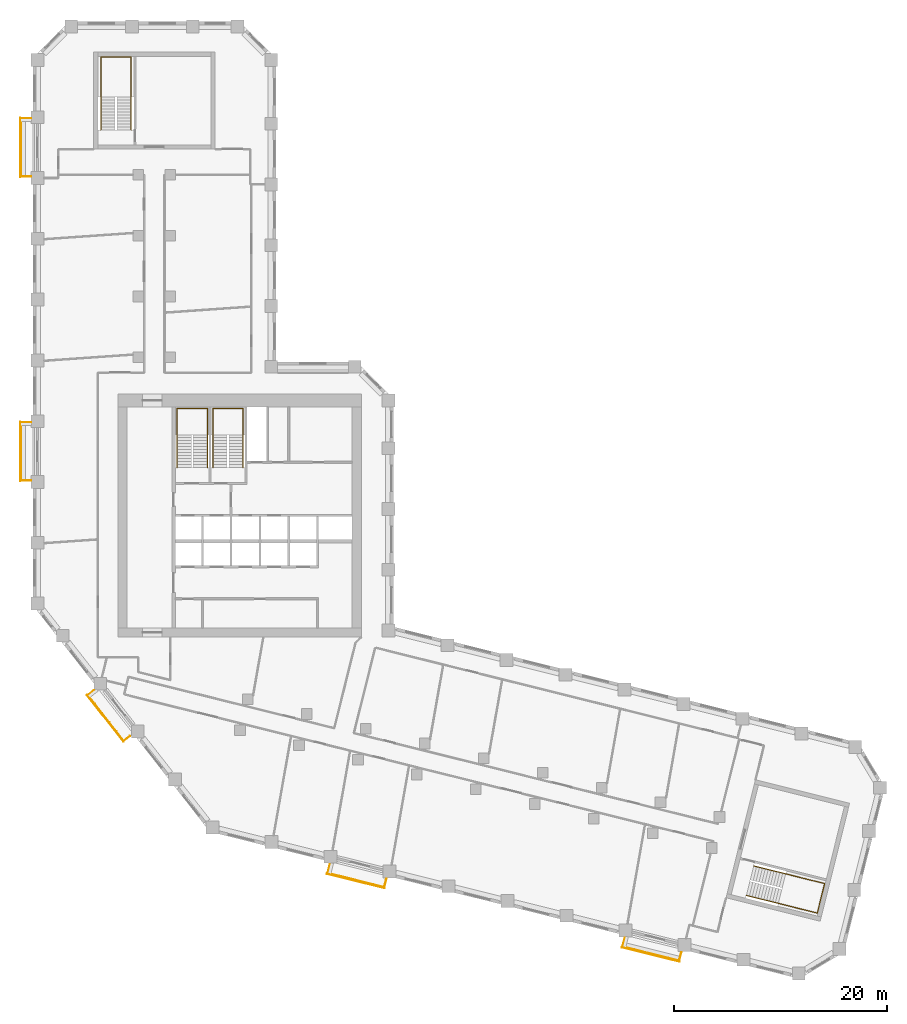
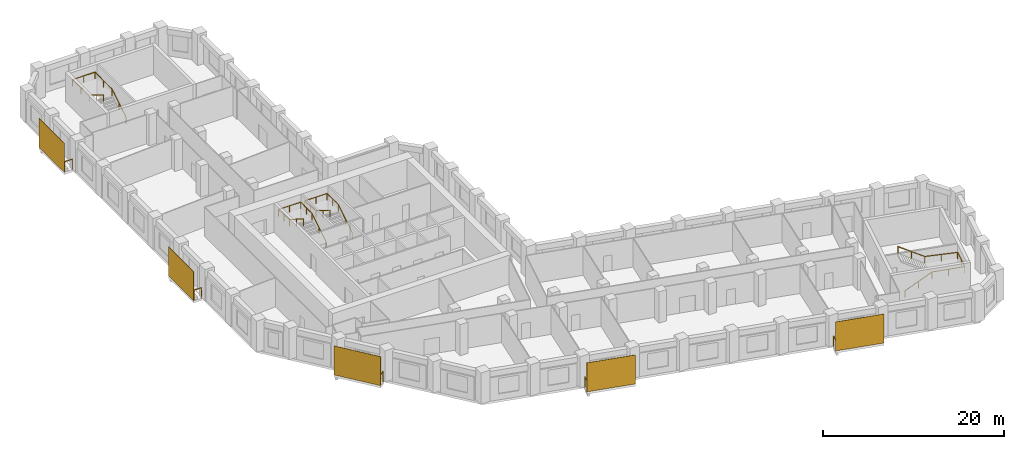
# One storey, part 10 of 10: 9 railings, 5 shading devices.
"""IFC4 building model written with IfcOpenShell, lengths in metres."""

from ifc_helpers import new_model, si_unit, direction, frame, origin, origin_2d, place, context, subcontext, project, spatial, rectangle, circle, extrude, material, layer, layer_set, type_object, element, save


model = new_model("IFC4")

# Units and contexts
model_context = context("Model", 3, precision=1e-05, world=origin(), true_north=direction((0.0, 1.0)))
body_context = subcontext(model_context, "Body", "Model", "MODEL_VIEW")
ifc_project = project(units=[si_unit("LENGTHUNIT", "METRE"), si_unit("AREAUNIT", "SQUARE_METRE"), si_unit("VOLUMEUNIT", "CUBIC_METRE"), si_unit("PLANEANGLEUNIT", "RADIAN"), si_unit("MASSUNIT", "GRAM", prefix="KILO")], contexts=[model_context])

# Site, building, storey
site_placement = place(None, origin())
site = spatial("IfcSite", under=ifc_project, at=site_placement, CompositionType="ELEMENT")
building_placement = place(site_placement, origin())
building = spatial("IfcBuilding", under=site, at=building_placement, Name="Meshkara Civic Tower", CompositionType="ELEMENT")
storey_placement = place(building_placement, frame((0.0, 0.0, 203.39990234375)))
storey = spatial("IfcBuildingStorey", under=building, at=storey_placement, Name="L46", CompositionType="ELEMENT", Elevation=203.39990234375)

# Railings
ifc_material_1 = material(Name="Steel S355", Category="steel")
railing_type_1 = type_object("IfcRailingType", Name="BALUSTRADE GUARD 1400", PredefinedType="BALUSTRADE", material=ifc_material_1)
for number, where, name in (
    (1, (-0.14990234375, 62.735107421875, 0.0), "Balcony guard"),
    (2, (-0.14990234375, 34.235107421875, 0.0), "Balcony guard"),
):
    element("IfcRailing", number, at=place(storey_placement, frame(where)), inside=storey, type_object=railing_type_1, Name=name, PredefinedType="BALUSTRADE", context=body_context, shape_type="SweptSolid", body=[
        extrude(circle(Radius=0.02392578125, at=origin_2d()), frame((0.0, 0.0, 1.3759765625), z_axis=(-1.0, 0.0, 0.0), x_axis=(0.0, -1.0, 0.0)), (0.0, 0.0, 1.0), 0.960205078125),
        extrude(circle(Radius=0.02392578125, at=origin_2d()), frame((-0.960205078125, 0.0, 1.3759765625), z_axis=(0.0, -1.0, 0.0), x_axis=(1.0, 0.0, 0.0)), (0.0, 0.0, 1.0), 5.460205078125),
        extrude(circle(Radius=0.02392578125, at=origin_2d()), frame((-0.960205078125, -5.460205078125, 1.3759765625), z_axis=(1.0, 0.0, 0.0), x_axis=(0.0, 1.0, 0.0)), (0.0, 0.0, 1.0), 0.960205078125),
        extrude(circle(Radius=0.02099609375, at=origin_2d()), origin(), (0.0, 0.0, 1.0), 1.351806640625),
        extrude(circle(Radius=0.02099609375, at=origin_2d()), frame((-0.960205078125, 0.0, 0.0)), (0.0, 0.0, 1.0), 1.351806640625),
        extrude(circle(Radius=0.02099609375, at=origin_2d()), frame((-0.960205078125, -1.092041015625, 0.0)), (0.0, 0.0, 1.0), 1.351806640625),
        extrude(circle(Radius=0.02099609375, at=origin_2d()), frame((-0.960205078125, -2.18408203125, 0.0)), (0.0, 0.0, 1.0), 1.351806640625),
        extrude(circle(Radius=0.02099609375, at=origin_2d()), frame((-0.960205078125, -3.276123046875, 0.0)), (0.0, 0.0, 1.0), 1.351806640625),
        extrude(circle(Radius=0.02099609375, at=origin_2d()), frame((-0.960205078125, -4.3681640625, 0.0)), (0.0, 0.0, 1.0), 1.351806640625),
        extrude(circle(Radius=0.02099609375, at=origin_2d()), frame((-0.960205078125, -5.460205078125, 0.0)), (0.0, 0.0, 1.0), 1.351806640625),
        extrude(circle(Radius=0.02099609375, at=origin_2d()), frame((0.0, -5.460205078125, 0.0)), (0.0, 0.0, 1.0), 1.351806640625),
    ])
railing_1_placement = place(storey_placement, frame((5.73388671875, 9.1240234375, 0.0)))
element("IfcRailing", 3, at=railing_1_placement, inside=storey, type_object=railing_type_1, Name="Balcony guard", PredefinedType="BALUSTRADE", context=body_context, shape_type="SweptSolid", body=[
    extrude(circle(Radius=0.02392578125, at=origin_2d()), frame((0.0, 0.0, 1.3759765625), z_axis=(-0.788014065721, -0.615657235989, 0.0), x_axis=(0.615657235989, -0.788014065721, 0.0)), (0.0, 0.0, 1.0), 0.71826171875),
    extrude(circle(Radius=0.02392578125, at=origin_2d()), frame((-0.56591796875, -0.442138671875, 1.3759765625), z_axis=(0.615684818606, -0.787992515281, 0.0), x_axis=(0.787992515281, 0.615684818606, 0.0)), (0.0, 0.0, 1.0), 5.460693359375),
    extrude(circle(Radius=0.02392578125, at=origin_2d()), frame((2.796142578125, -4.7451171875, 1.3759765625), z_axis=(0.788014065721, 0.615657235989, 0.0), x_axis=(-0.615657235989, 0.788014065721, 0.0)), (0.0, 0.0, 1.0), 0.71826171875),
    extrude(circle(Radius=0.02099609375, at=origin_2d()), origin(), (0.0, 0.0, 1.0), 1.351806640625),
    extrude(circle(Radius=0.02099609375, at=origin_2d()), frame((-0.56591796875, -0.442138671875, 0.0)), (0.0, 0.0, 1.0), 1.351806640625),
    extrude(circle(Radius=0.02099609375, at=origin_2d()), frame((0.1064453125, -1.302734375, 0.0)), (0.0, 0.0, 1.0), 1.351806640625),
    extrude(circle(Radius=0.02099609375, at=origin_2d()), frame((0.77880859375, -2.163330078125, 0.0)), (0.0, 0.0, 1.0), 1.351806640625),
    extrude(circle(Radius=0.02099609375, at=origin_2d()), frame((1.451416015625, -3.02392578125, 0.0)), (0.0, 0.0, 1.0), 1.351806640625),
    extrude(circle(Radius=0.02099609375, at=origin_2d()), frame((2.123779296875, -3.884521484375, 0.0)), (0.0, 0.0, 1.0), 1.351806640625),
    extrude(circle(Radius=0.02099609375, at=origin_2d()), frame((2.796142578125, -4.7451171875, 0.0)), (0.0, 0.0, 1.0), 1.351806640625),
    extrude(circle(Radius=0.02099609375, at=origin_2d()), frame((3.362060546875, -4.302978515625, 0.0)), (0.0, 0.0, 1.0), 1.351806640625),
])
railing_2_placement = place(storey_placement, frame((27.85302734375, -7.22998046875, 0.0)))
element("IfcRailing", 4, at=railing_2_placement, inside=storey, type_object=railing_type_1, Name="Balcony guard", PredefinedType="BALUSTRADE", context=body_context, shape_type="SweptSolid", body=[
    extrude(circle(Radius=0.02392578125, at=origin_2d()), frame((0.0, 0.0, 1.3759765625), z_axis=(-0.242673544463, -0.970108009872, 0.0), x_axis=(0.970108009872, -0.242673544463, 0.0)), (0.0, 0.0, 1.0), 0.8330078125),
    extrude(circle(Radius=0.02392578125, at=origin_2d()), frame((-0.2021484375, -0.80810546875, 1.3759765625), z_axis=(0.970302726319, -0.241893818229, 0.0), x_axis=(0.241893818229, 0.970302726319, 0.0)), (0.0, 0.0, 1.0), 5.460205078125),
    extrude(circle(Radius=0.02392578125, at=origin_2d()), frame((5.095947265625, -2.12890625, 1.3759765625), z_axis=(0.242466638965, 0.970159744057, 0.0), x_axis=(-0.970159744057, 0.242466638965, 0.0)), (0.0, 0.0, 1.0), 0.832763671875),
    extrude(circle(Radius=0.02099609375, at=origin_2d()), origin(), (0.0, 0.0, 1.0), 1.351806640625),
    extrude(circle(Radius=0.02099609375, at=origin_2d()), frame((-0.2021484375, -0.80810546875, 0.0)), (0.0, 0.0, 1.0), 1.351806640625),
    extrude(circle(Radius=0.02099609375, at=origin_2d()), frame((0.857421875, -1.072265625, 0.0)), (0.0, 0.0, 1.0), 1.351806640625),
    extrude(circle(Radius=0.02099609375, at=origin_2d()), frame((1.9169921875, -1.33642578125, 0.0)), (0.0, 0.0, 1.0), 1.351806640625),
    extrude(circle(Radius=0.02099609375, at=origin_2d()), frame((2.976806640625, -1.6005859375, 0.0)), (0.0, 0.0, 1.0), 1.351806640625),
    extrude(circle(Radius=0.02099609375, at=origin_2d()), frame((4.036376953125, -1.86474609375, 0.0)), (0.0, 0.0, 1.0), 1.351806640625),
    extrude(circle(Radius=0.02099609375, at=origin_2d()), frame((5.095947265625, -2.12890625, 0.0)), (0.0, 0.0, 1.0), 1.351806640625),
    extrude(circle(Radius=0.02099609375, at=origin_2d()), frame((5.2978515625, -1.321044921875, 0.0)), (0.0, 0.0, 1.0), 1.351806640625),
])
railing_3_placement = place(storey_placement, frame((55.506103515625, -14.125, 0.0)))
element("IfcRailing", 5, at=railing_3_placement, inside=storey, type_object=railing_type_1, Name="Balcony guard", PredefinedType="BALUSTRADE", context=body_context, shape_type="SweptSolid", body=[
    extrude(circle(Radius=0.02392578125, at=origin_2d()), frame((0.0, 0.0, 1.3759765625), z_axis=(-0.241569777604, -0.970383451296, 0.0), x_axis=(0.970383451296, -0.241569777604, 0.0)), (0.0, 0.0, 1.0), 0.832763671875),
    extrude(circle(Radius=0.02392578125, at=origin_2d()), frame((-0.201171875, -0.80810546875, 1.3759765625), z_axis=(0.970302726319, -0.241893818229, 0.0), x_axis=(0.241893818229, 0.970302726319, 0.0)), (0.0, 0.0, 1.0), 5.460205078125),
    extrude(circle(Radius=0.02392578125, at=origin_2d()), frame((5.096923828125, -2.12890625, 1.3759765625), z_axis=(0.242466638965, 0.970159744057, 0.0), x_axis=(-0.970159744057, 0.242466638965, 0.0)), (0.0, 0.0, 1.0), 0.832763671875),
    extrude(circle(Radius=0.02099609375, at=origin_2d()), origin(), (0.0, 0.0, 1.0), 1.351806640625),
    extrude(circle(Radius=0.02099609375, at=origin_2d()), frame((-0.201171875, -0.80810546875, 0.0)), (0.0, 0.0, 1.0), 1.351806640625),
    extrude(circle(Radius=0.02099609375, at=origin_2d()), frame((0.8583984375, -1.072265625, 0.0)), (0.0, 0.0, 1.0), 1.351806640625),
    extrude(circle(Radius=0.02099609375, at=origin_2d()), frame((1.91796875, -1.33642578125, 0.0)), (0.0, 0.0, 1.0), 1.351806640625),
    extrude(circle(Radius=0.02099609375, at=origin_2d()), frame((2.977783203125, -1.6005859375, 0.0)), (0.0, 0.0, 1.0), 1.351806640625),
    extrude(circle(Radius=0.02099609375, at=origin_2d()), frame((4.037353515625, -1.86474609375, 0.0)), (0.0, 0.0, 1.0), 1.351806640625),
    extrude(circle(Radius=0.02099609375, at=origin_2d()), frame((5.096923828125, -2.12890625, 0.0)), (0.0, 0.0, 1.0), 1.351806640625),
    extrude(circle(Radius=0.02099609375, at=origin_2d()), frame((5.298828125, -1.321044921875, 0.0)), (0.0, 0.0, 1.0), 1.351806640625),
])

# Shading devices
ifc_material_2 = material(Name="Perforated bronze anodised aluminium sheet", Category="aluminium")
ifc_layer = layer(ifc_material_2, 0.0400390625)
ifc_layer_set = layer_set([ifc_layer], Name="PERFORATED BRONZE SCREEN")
shading_device_type = type_object("IfcShadingDeviceType", Name="PERFORATED BRONZE SCREEN", PredefinedType="USERDEFINED", material=ifc_layer_set)
for number, where, z_axis, x_axis, name in (
    (6, (-1.179931640625, 60.0048828125, 0.000244140625), (0.0, 0.0, 1.0), (0.0, -1.0, 0.0), "Balcony screen"),
    (7, (-1.179931640625, 31.5048828125, 0.000244140625), (0.0, 0.0, 1.0), (0.0, -1.0, 0.0), "Balcony screen"),
):
    element("IfcShadingDevice", number, at=place(storey_placement, frame(where, z_axis=z_axis, x_axis=x_axis)), inside=storey, type_object=shading_device_type, Name=name, ObjectType="SCREEN", PredefinedType="USERDEFINED", context=body_context, shape_type="SweptSolid", body=[
        extrude(rectangle(XDim=5.580078125, YDim=0.0400390625, at=origin_2d()), origin(), (0.0, 0.0, 1.0), 3.89990234375),
    ])
shading_device_placement = place(storey_placement, frame((6.7939453125, 6.488037109375, 0.000244140625), z_axis=(0.0, 0.0, 1.0), x_axis=(0.615661475326, -0.788010753607, 0.0)))
element("IfcShadingDevice", 8, at=shading_device_placement, inside=storey, type_object=shading_device_type, Name="Balcony screen", ObjectType="SCREEN", PredefinedType="USERDEFINED", context=body_context, shape_type="SweptSolid", body=[
    extrude(rectangle(XDim=5.5810546875, YDim=0.0400390625, at=origin_2d()), origin(), (0.0, 0.0, 1.0), 3.89990234375),
])
for number, where, z_axis, x_axis, name in (
    (9, (30.282958984375, -8.76708984375, 0.000244140625), (0.0, 0.0, 1.0), (0.970299948462, -0.241904960708, 0.0), "Balcony screen"),
    (10, (57.93701171875, -15.660888671875, 0.000244140625), (0.0, 0.0, 1.0), (0.970299948462, -0.241904960708, 0.0), "Balcony screen"),
):
    element("IfcShadingDevice", number, at=place(storey_placement, frame(where, z_axis=z_axis, x_axis=x_axis)), inside=storey, type_object=shading_device_type, Name=name, ObjectType="SCREEN", PredefinedType="USERDEFINED", context=body_context, shape_type="SweptSolid", body=[
        extrude(rectangle(XDim=5.580078125, YDim=0.0400390625, at=origin_2d()), origin(), (0.0, 0.0, 1.0), 3.89990234375),
    ])

# Railings
ifc_material_3 = material(Name="Steel handrail", Category="steel")
railing_type_2 = type_object("IfcRailingType", Name="Stair handrail 900", PredefinedType="HANDRAIL", material=ifc_material_3)
railing_4_placement = place(storey_placement, frame((16.375, 30.0, 0.175048828125)))
element("IfcRailing", 11, at=railing_4_placement, inside=storey, type_object=railing_type_2, Name="L46 ST1 stair handrail 1", PredefinedType="HANDRAIL", context=body_context, shape_type="SweptSolid", body=[
    extrude(circle(Radius=0.02392578125, at=origin_2d()), frame((0.0, 0.0, 0.8759765625), z_axis=(0.0, 0.847998304005, 0.529998940003), x_axis=(-1.0, 0.0, 0.0)), (0.0, 0.0, 1.0), 3.632080078125),
    extrude(circle(Radius=0.02392578125, at=origin_2d()), frame((0.0, 3.080078125, 2.80078125), z_axis=(0.0, 1.0, 0.0), x_axis=(-1.0, 0.0, 0.0)), (0.0, 0.0, 1.0), 2.469970703125),
    extrude(circle(Radius=0.02392578125, at=origin_2d()), frame((0.0, 5.550048828125, 2.80078125), z_axis=(-1.0, 0.0, 0.0), x_axis=(0.0, -1.0, 0.0)), (0.0, 0.0, 1.0), 2.85009765625),
    extrude(circle(Radius=0.02392578125, at=origin_2d()), frame((-2.85009765625, 5.550048828125, 2.80078125), z_axis=(0.0, -0.997498084828, 0.070693498747), x_axis=(1.0, 0.0, 0.0)), (0.0, 0.0, 1.0), 2.47607421875),
    extrude(circle(Radius=0.02392578125, at=origin_2d()), frame((-2.85009765625, 3.080078125, 2.97607421875), z_axis=(0.0, -0.847998304005, 0.529998940003), x_axis=(1.0, 0.0, 0.0)), (0.0, 0.0, 1.0), 3.632080078125),
    extrude(circle(Radius=0.02099609375, at=origin_2d()), origin(), (0.0, 0.0, 1.0), 0.851806640625),
    extrude(circle(Radius=0.02099609375, at=origin_2d()), frame((0.0, 1.5400390625, 0.96240234375)), (0.0, 0.0, 1.0), 0.851806640625),
    extrude(circle(Radius=0.02099609375, at=origin_2d()), frame((0.0, 3.080078125, 1.925048828125)), (0.0, 0.0, 1.0), 0.851806640625),
    extrude(circle(Radius=0.02099609375, at=origin_2d()), frame((0.0, 4.31494140625, 1.925048828125)), (0.0, 0.0, 1.0), 0.851806640625),
    extrude(circle(Radius=0.02099609375, at=origin_2d()), frame((0.0, 5.550048828125, 1.925048828125)), (0.0, 0.0, 1.0), 0.851806640625),
    extrude(circle(Radius=0.02099609375, at=origin_2d()), frame((-1.425048828125, 5.550048828125, 1.925048828125)), (0.0, 0.0, 1.0), 0.851806640625),
    extrude(circle(Radius=0.02099609375, at=origin_2d()), frame((-2.85009765625, 5.550048828125, 1.925048828125)), (0.0, 0.0, 1.0), 0.851806640625),
    extrude(circle(Radius=0.02099609375, at=origin_2d()), frame((-2.85009765625, 4.31494140625, 2.0126953125)), (0.0, 0.0, 1.0), 0.851806640625),
    extrude(circle(Radius=0.02099609375, at=origin_2d()), frame((-2.85009765625, 3.080078125, 2.10009765625)), (0.0, 0.0, 1.0), 0.851806640625),
    extrude(circle(Radius=0.02099609375, at=origin_2d()), frame((-2.85009765625, 1.5400390625, 3.0625)), (0.0, 0.0, 1.0), 0.851806640625),
    extrude(circle(Radius=0.02099609375, at=origin_2d()), frame((-2.85009765625, 0.0, 4.025146484375)), (0.0, 0.0, 1.0), 0.851806640625),
])
railing_5_placement = place(storey_placement, frame((19.72509765625, 30.0, 0.175048828125)))
element("IfcRailing", 12, at=railing_5_placement, inside=storey, type_object=railing_type_2, Name="L46 ST2 stair handrail 1", PredefinedType="HANDRAIL", context=body_context, shape_type="SweptSolid", body=[
    extrude(circle(Radius=0.02392578125, at=origin_2d()), frame((0.0, 0.0, 0.8759765625), z_axis=(0.0, 0.847998304005, 0.529998940003), x_axis=(-1.0, 0.0, 0.0)), (0.0, 0.0, 1.0), 3.632080078125),
    extrude(circle(Radius=0.02392578125, at=origin_2d()), frame((0.0, 3.080078125, 2.80078125), z_axis=(0.0, 1.0, 0.0), x_axis=(-1.0, 0.0, 0.0)), (0.0, 0.0, 1.0), 2.469970703125),
    extrude(circle(Radius=0.02392578125, at=origin_2d()), frame((0.0, 5.550048828125, 2.80078125), z_axis=(-1.0, 0.0, 0.0), x_axis=(0.0, -1.0, 0.0)), (0.0, 0.0, 1.0), 2.85009765625),
    extrude(circle(Radius=0.02392578125, at=origin_2d()), frame((-2.85009765625, 5.550048828125, 2.80078125), z_axis=(0.0, -0.997498084828, 0.070693498747), x_axis=(1.0, 0.0, 0.0)), (0.0, 0.0, 1.0), 2.47607421875),
    extrude(circle(Radius=0.02392578125, at=origin_2d()), frame((-2.85009765625, 3.080078125, 2.97607421875), z_axis=(0.0, -0.847998304005, 0.529998940003), x_axis=(1.0, 0.0, 0.0)), (0.0, 0.0, 1.0), 3.632080078125),
    extrude(circle(Radius=0.02099609375, at=origin_2d()), origin(), (0.0, 0.0, 1.0), 0.851806640625),
    extrude(circle(Radius=0.02099609375, at=origin_2d()), frame((0.0, 1.5400390625, 0.96240234375)), (0.0, 0.0, 1.0), 0.851806640625),
    extrude(circle(Radius=0.02099609375, at=origin_2d()), frame((0.0, 3.080078125, 1.925048828125)), (0.0, 0.0, 1.0), 0.851806640625),
    extrude(circle(Radius=0.02099609375, at=origin_2d()), frame((0.0, 4.31494140625, 1.925048828125)), (0.0, 0.0, 1.0), 0.851806640625),
    extrude(circle(Radius=0.02099609375, at=origin_2d()), frame((0.0, 5.550048828125, 1.925048828125)), (0.0, 0.0, 1.0), 0.851806640625),
    extrude(circle(Radius=0.02099609375, at=origin_2d()), frame((-1.425048828125, 5.550048828125, 1.925048828125)), (0.0, 0.0, 1.0), 0.851806640625),
    extrude(circle(Radius=0.02099609375, at=origin_2d()), frame((-2.85009765625, 5.550048828125, 1.925048828125)), (0.0, 0.0, 1.0), 0.851806640625),
    extrude(circle(Radius=0.02099609375, at=origin_2d()), frame((-2.85009765625, 4.31494140625, 2.0126953125)), (0.0, 0.0, 1.0), 0.851806640625),
    extrude(circle(Radius=0.02099609375, at=origin_2d()), frame((-2.85009765625, 3.080078125, 2.10009765625)), (0.0, 0.0, 1.0), 0.851806640625),
    extrude(circle(Radius=0.02099609375, at=origin_2d()), frame((-2.85009765625, 1.5400390625, 3.0625)), (0.0, 0.0, 1.0), 0.851806640625),
    extrude(circle(Radius=0.02099609375, at=origin_2d()), frame((-2.85009765625, 0.0, 4.025146484375)), (0.0, 0.0, 1.0), 0.851806640625),
])
railing_6_placement = place(storey_placement, frame((9.22509765625, 61.669921875, 0.175048828125)))
element("IfcRailing", 13, at=railing_6_placement, inside=storey, type_object=railing_type_2, Name="L46 ESA3 stair handrail 1", PredefinedType="HANDRAIL", context=body_context, shape_type="SweptSolid", body=[
    extrude(circle(Radius=0.02392578125, at=origin_2d()), frame((0.0, 0.0, 0.8759765625), z_axis=(0.0, 0.847998304005, 0.529998940003), x_axis=(-1.0, 0.0, 0.0)), (0.0, 0.0, 1.0), 3.632080078125),
    extrude(circle(Radius=0.02392578125, at=origin_2d()), frame((0.0, 3.080078125, 2.80078125), z_axis=(0.0, 1.0, 0.0), x_axis=(-1.0, 0.0, 0.0)), (0.0, 0.0, 1.0), 3.77001953125),
    extrude(circle(Radius=0.02392578125, at=origin_2d()), frame((0.0, 6.85009765625, 2.80078125), z_axis=(-1.0, 0.0, 0.0), x_axis=(0.0, -1.0, 0.0)), (0.0, 0.0, 1.0), 2.85009765625),
    extrude(circle(Radius=0.02392578125, at=origin_2d()), frame((-2.85009765625, 6.85009765625, 2.80078125), z_axis=(0.0, -0.9989237834, 0.046381838667), x_axis=(1.0, 0.0, 0.0)), (0.0, 0.0, 1.0), 3.774169921875),
    extrude(circle(Radius=0.02392578125, at=origin_2d()), frame((-2.85009765625, 3.080078125, 2.97607421875), z_axis=(0.0, -0.847998304005, 0.529998940003), x_axis=(1.0, 0.0, 0.0)), (0.0, 0.0, 1.0), 3.632080078125),
    extrude(circle(Radius=0.02099609375, at=origin_2d()), origin(), (0.0, 0.0, 1.0), 0.851806640625),
    extrude(circle(Radius=0.02099609375, at=origin_2d()), frame((0.0, 1.5400390625, 0.96240234375)), (0.0, 0.0, 1.0), 0.851806640625),
    extrude(circle(Radius=0.02099609375, at=origin_2d()), frame((0.0, 3.080078125, 1.925048828125)), (0.0, 0.0, 1.0), 0.851806640625),
    extrude(circle(Radius=0.02099609375, at=origin_2d()), frame((0.0, 4.965087890625, 1.925048828125)), (0.0, 0.0, 1.0), 0.851806640625),
    extrude(circle(Radius=0.02099609375, at=origin_2d()), frame((0.0, 6.85009765625, 1.925048828125)), (0.0, 0.0, 1.0), 0.851806640625),
    extrude(circle(Radius=0.02099609375, at=origin_2d()), frame((-1.425048828125, 6.85009765625, 1.925048828125)), (0.0, 0.0, 1.0), 0.851806640625),
    extrude(circle(Radius=0.02099609375, at=origin_2d()), frame((-2.85009765625, 6.85009765625, 1.925048828125)), (0.0, 0.0, 1.0), 0.851806640625),
    extrude(circle(Radius=0.02099609375, at=origin_2d()), frame((-2.85009765625, 4.965087890625, 2.0126953125)), (0.0, 0.0, 1.0), 0.851806640625),
    extrude(circle(Radius=0.02099609375, at=origin_2d()), frame((-2.85009765625, 3.080078125, 2.10009765625)), (0.0, 0.0, 1.0), 0.851806640625),
    extrude(circle(Radius=0.02099609375, at=origin_2d()), frame((-2.85009765625, 1.5400390625, 3.0625)), (0.0, 0.0, 1.0), 0.851806640625),
    extrude(circle(Radius=0.02099609375, at=origin_2d()), frame((-2.85009765625, 0.0, 4.025146484375)), (0.0, 0.0, 1.0), 0.851806640625),
])
railing_7_placement = place(storey_placement, frame((66.910888671875, -10.1123046875, 0.175048828125)))
element("IfcRailing", 14, at=railing_7_placement, inside=storey, type_object=railing_type_2, Name="L46 ESB3 stair handrail 1", PredefinedType="HANDRAIL", context=body_context, shape_type="SweptSolid", body=[
    extrude(circle(Radius=0.02392578125, at=origin_2d()), frame((0.0, 0.0, 0.8759765625), z_axis=(0.822816010835, -0.205082235851, 0.530014234575), x_axis=(0.241845469214, 0.970314778317, 0.0)), (0.0, 0.0, 1.0), 3.632080078125),
    extrude(circle(Radius=0.02392578125, at=origin_2d()), frame((2.988525390625, -0.744873046875, 2.80078125), z_axis=(0.970325068916, -0.241804178279, 0.0), x_axis=(0.241804178279, 0.970325068916, 0.0)), (0.0, 0.0, 1.0), 3.77001953125),
    extrude(circle(Radius=0.02392578125, at=origin_2d()), frame((6.646728515625, -1.656494140625, 2.80078125), z_axis=(0.24183009087, 0.970318611153, 0.0), x_axis=(-0.970318611153, 0.24183009087, 0.0)), (0.0, 0.0, 1.0), 2.849853515625),
    extrude(circle(Radius=0.02392578125, at=origin_2d()), frame((7.3359375, 1.10888671875, 2.80078125), z_axis=(-0.969280822407, 0.241543952941, 0.046381096481), x_axis=(-0.241804178279, -0.970325068916, 0.0)), (0.0, 0.0, 1.0), 3.774169921875),
    extrude(circle(Radius=0.02392578125, at=origin_2d()), frame((3.677734375, 2.0205078125, 2.97607421875), z_axis=(-0.822816010835, 0.205082235851, 0.530014234575), x_axis=(-0.241845469214, -0.970314778317, 0.0)), (0.0, 0.0, 1.0), 3.632080078125),
    extrude(circle(Radius=0.02099609375, at=origin_2d()), origin(), (0.0, 0.0, 1.0), 0.851806640625),
    extrude(circle(Radius=0.02099609375, at=origin_2d()), frame((1.494140625, -0.37255859375, 0.96240234375)), (0.0, 0.0, 1.0), 0.851806640625),
    extrude(circle(Radius=0.02099609375, at=origin_2d()), frame((2.988525390625, -0.744873046875, 1.925048828125)), (0.0, 0.0, 1.0), 0.851806640625),
    extrude(circle(Radius=0.02099609375, at=origin_2d()), frame((4.817626953125, -1.20068359375, 1.925048828125)), (0.0, 0.0, 1.0), 0.851806640625),
    extrude(circle(Radius=0.02099609375, at=origin_2d()), frame((6.646728515625, -1.656494140625, 1.925048828125)), (0.0, 0.0, 1.0), 0.851806640625),
    extrude(circle(Radius=0.02099609375, at=origin_2d()), frame((6.9912109375, -0.27392578125, 1.925048828125)), (0.0, 0.0, 1.0), 0.851806640625),
    extrude(circle(Radius=0.02099609375, at=origin_2d()), frame((7.3359375, 1.10888671875, 1.925048828125)), (0.0, 0.0, 1.0), 0.851806640625),
    extrude(circle(Radius=0.02099609375, at=origin_2d()), frame((5.5068359375, 1.564697265625, 2.0126953125)), (0.0, 0.0, 1.0), 0.851806640625),
    extrude(circle(Radius=0.02099609375, at=origin_2d()), frame((3.677734375, 2.0205078125, 2.10009765625)), (0.0, 0.0, 1.0), 0.851806640625),
    extrude(circle(Radius=0.02099609375, at=origin_2d()), frame((2.18359375, 2.39306640625, 3.0625)), (0.0, 0.0, 1.0), 0.851806640625),
    extrude(circle(Radius=0.02099609375, at=origin_2d()), frame((0.689208984375, 2.765380859375, 4.025146484375)), (0.0, 0.0, 1.0), 0.851806640625),
])

save(model, "model.ifc")
